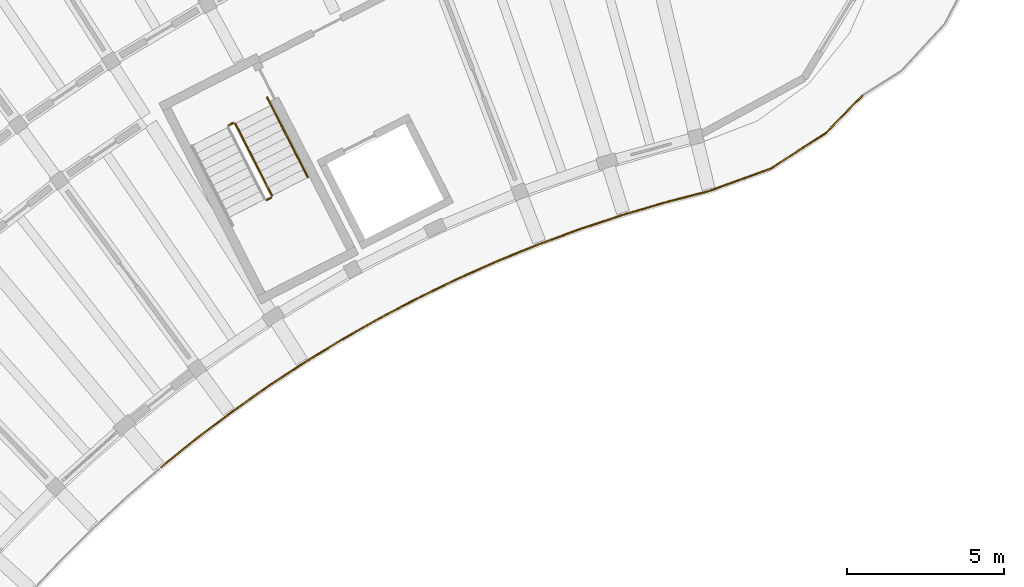
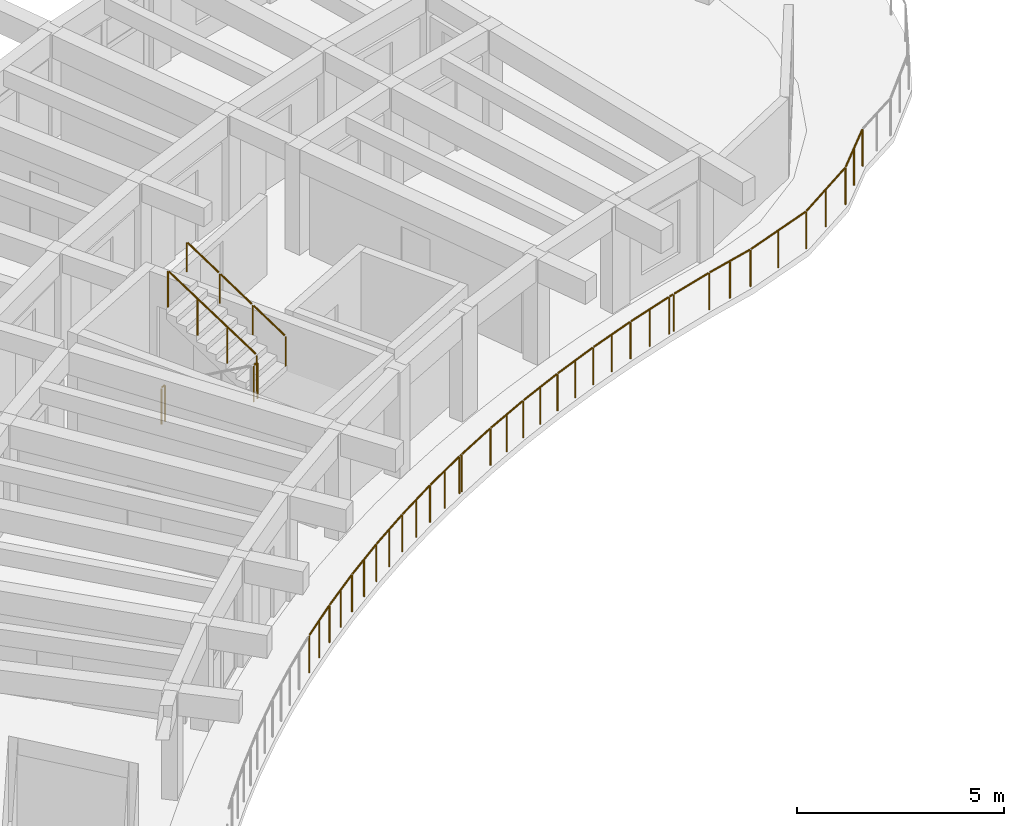
# One storey, part 32 of 36: 9 railings.
"""IFC4 building model written with IfcOpenShell, lengths in metres."""

from ifc_helpers import new_model, si_unit, direction, frame, origin, origin_2d, place, context, subcontext, project, spatial, circle, extrude, material, type_object, element, save


model = new_model("IFC4")

# Units and contexts
model_context = context("Model", 3, precision=1e-05, world=origin(), true_north=direction((0.0, 1.0)))
body_context = subcontext(model_context, "Body", "Model", "MODEL_VIEW")
ifc_project = project(units=[si_unit("LENGTHUNIT", "METRE"), si_unit("AREAUNIT", "SQUARE_METRE"), si_unit("VOLUMEUNIT", "CUBIC_METRE"), si_unit("PLANEANGLEUNIT", "RADIAN"), si_unit("MASSUNIT", "GRAM", prefix="KILO")], contexts=[model_context])

# Site, building, storey
site_placement = place(None, origin())
site = spatial("IfcSite", under=ifc_project, at=site_placement, CompositionType="ELEMENT")
building_placement = place(site_placement, origin())
building = spatial("IfcBuilding", under=site, at=building_placement, Name="Tanwirah Colonnade Gardens", CompositionType="ELEMENT")
storey_placement = place(building_placement, frame((0.0, 0.0, 39.080078125)))
storey = spatial("IfcBuildingStorey", under=building, at=storey_placement, Name="L11", CompositionType="ELEMENT", Elevation=39.080078125)

# Railings
ifc_material_1 = material(Name="Precast concrete C40/50", Category="concrete")
railing_type_1 = type_object("IfcRailingType", Name="BAL-EXT112", PredefinedType="BALUSTRADE", material=ifc_material_1)
railing_1_placement = place(storey_placement, frame((59.87841796875, 104.73291015625, 0.0)))
element("IfcRailing", 1, at=railing_1_placement, inside=storey, type_object=railing_type_1, Name="Block A L11 Balcony Ribbon Balustrade 1", PredefinedType="BALUSTRADE", context=body_context, shape_type="SweptSolid", body=[
    extrude(circle(Radius=0.02392578125, at=origin_2d()), frame((-0.021728515625, -0.0224609375, 1.09619140625), z_axis=(-0.698511797855, -0.715598538468, 0.0), x_axis=(0.715598538468, -0.698511797855, 0.0)), (0.0, 0.0, 1.0), 1.609130859375),
    extrude(circle(Radius=0.02392578125, at=origin_2d()), frame((-1.194091796875, -1.213134765625, 1.09619140625), z_axis=(-0.840131563102, -0.542382666278, 0.0), x_axis=(0.542382666278, -0.840131563102, 0.0)), (0.0, 0.0, 1.0), 2.024169921875),
    extrude(circle(Radius=0.02392578125, at=origin_2d()), frame((-2.9501953125, -2.3388671875, 1.09619140625), z_axis=(-0.93978320246, -0.341771169606, 0.0), x_axis=(0.341771169606, -0.93978320246, 0.0)), (0.0, 0.0, 1.0), 2.02978515625),
    extrude(circle(Radius=0.02392578125, at=origin_2d()), frame((-4.91748046875, -3.051025390625, 1.09619140625), z_axis=(-0.968152012133, -0.250363099122, 0.0), x_axis=(0.250363099122, -0.968152012133, 0.0)), (0.0, 0.0, 1.0), 1.337890625),
    extrude(circle(Radius=0.02392578125, at=origin_2d()), frame((-6.275634765625, -3.4033203125, 1.09619140625), z_axis=(-0.959381098195, -0.282113290055, 0.0), x_axis=(0.282113290055, -0.959381098195, 0.0)), (0.0, 0.0, 1.0), 1.18359375),
    extrude(circle(Radius=0.02099609375, at=origin_2d()), origin(), (0.0, 0.0, 1.0), 1.069091796875),
    extrude(circle(Radius=0.02099609375, at=origin_2d()), frame((-0.583984375, -0.59814453125, 0.0)), (0.0, 0.0, 1.0), 1.069091796875),
    extrude(circle(Radius=0.02099609375, at=origin_2d()), frame((-1.167724609375, -1.1962890625, 0.0)), (0.0, 0.0, 1.0), 1.069091796875),
    extrude(circle(Radius=0.02099609375, at=origin_2d()), frame((-2.04443359375, -1.76220703125, 0.0)), (0.0, 0.0, 1.0), 1.069091796875),
    extrude(circle(Radius=0.02099609375, at=origin_2d()), frame((-2.9208984375, -2.328125, 0.0)), (0.0, 0.0, 1.0), 1.069091796875),
    extrude(circle(Radius=0.02099609375, at=origin_2d()), frame((-3.904052734375, -2.685546875, 0.0)), (0.0, 0.0, 1.0), 1.069091796875),
    extrude(circle(Radius=0.02099609375, at=origin_2d()), frame((-4.88720703125, -3.043212890625, 0.0)), (0.0, 0.0, 1.0), 1.069091796875),
    extrude(circle(Radius=0.02099609375, at=origin_2d()), frame((-5.56494140625, -3.218505859375, 0.0)), (0.0, 0.0, 1.0), 1.069091796875),
    extrude(circle(Radius=0.02099609375, at=origin_2d()), frame((-6.242919921875, -3.393798828125, 0.0)), (0.0, 0.0, 1.0), 1.069091796875),
    extrude(circle(Radius=0.02099609375, at=origin_2d()), frame((-7.441162109375, -3.74609375, 0.0)), (0.0, 0.0, 1.0), 1.069091796875),
])
railing_2_placement = place(storey_placement, frame((52.437255859375, 100.98681640625, 0.0)))
element("IfcRailing", 2, at=railing_2_placement, inside=storey, type_object=railing_type_1, Name="Block A L11 Balcony Ribbon Balustrade 2", PredefinedType="BALUSTRADE", context=body_context, shape_type="SweptSolid", body=[
    extrude(circle(Radius=0.02392578125, at=origin_2d()), frame((-0.030029296875, -0.0087890625, 1.09619140625), z_axis=(-0.959217793849, -0.28266804553, 0.0), x_axis=(0.28266804553, -0.959217793849, 0.0)), (0.0, 0.0, 1.0), 0.095458984375),
    extrude(circle(Radius=0.02392578125, at=origin_2d()), frame((-0.18408203125, -0.05517578125, 1.09619140625), z_axis=(-0.949531842797, -0.313670654533, 0.0), x_axis=(0.313670654533, -0.949531842797, 0.0)), (0.0, 0.0, 1.0), 1.341552734375),
    extrude(circle(Radius=0.02392578125, at=origin_2d()), frame((-1.51953125, -0.49755859375, 1.09619140625), z_axis=(-0.93868698515, -0.344770567059, 0.0), x_axis=(0.344770567059, -0.93868698515, 0.0)), (0.0, 0.0, 1.0), 1.341796875),
    extrude(circle(Radius=0.02392578125, at=origin_2d()), frame((-2.83984375, -0.983642578125, 1.09619140625), z_axis=(-0.92683738147, -0.375463005247, 0.0), x_axis=(0.375463005247, -0.92683738147, 0.0)), (0.0, 0.0, 1.0), 1.342041015625),
    extrude(circle(Radius=0.02392578125, at=origin_2d()), frame((-4.143310546875, -1.512939453125, 1.09619140625), z_axis=(-0.913997826773, -0.40571908096, 0.0), x_axis=(0.40571908096, -0.913997826773, 0.0)), (0.0, 0.0, 1.0), 1.342041015625),
    extrude(circle(Radius=0.02392578125, at=origin_2d()), frame((-5.4287109375, -2.0849609375, 1.09619140625), z_axis=(-0.900124070825, -0.43563362717, 0.0), x_axis=(0.43563362717, -0.900124070825, 0.0)), (0.0, 0.0, 1.0), 1.341796875),
    extrude(circle(Radius=0.02392578125, at=origin_2d()), frame((-6.694580078125, -2.698974609375, 1.09619140625), z_axis=(-0.885222572619, -0.465167708386, 0.0), x_axis=(0.465167708386, -0.885222572619, 0.0)), (0.0, 0.0, 1.0), 1.24169921875),
    extrude(circle(Radius=0.02099609375, at=origin_2d()), origin(), (0.0, 0.0, 1.0), 1.069091796875),
    extrude(circle(Radius=0.02099609375, at=origin_2d()), frame((-0.151611328125, -0.044677734375, 0.0)), (0.0, 0.0, 1.0), 1.069091796875),
    extrude(circle(Radius=0.02099609375, at=origin_2d()), frame((-0.82080078125, -0.265625, 0.0)), (0.0, 0.0, 1.0), 1.069091796875),
    extrude(circle(Radius=0.02099609375, at=origin_2d()), frame((-1.487548828125, -0.48583984375, 0.0)), (0.0, 0.0, 1.0), 1.069091796875),
    extrude(circle(Radius=0.02099609375, at=origin_2d()), frame((-2.1494140625, -0.72900390625, 0.0)), (0.0, 0.0, 1.0), 1.069091796875),
    extrude(circle(Radius=0.02099609375, at=origin_2d()), frame((-2.808349609375, -0.970947265625, 0.0)), (0.0, 0.0, 1.0), 1.069091796875),
    extrude(circle(Radius=0.02099609375, at=origin_2d()), frame((-3.461669921875, -1.235595703125, 0.0)), (0.0, 0.0, 1.0), 1.069091796875),
    extrude(circle(Radius=0.02099609375, at=origin_2d()), frame((-4.112548828125, -1.499267578125, 0.0)), (0.0, 0.0, 1.0), 1.069091796875),
    extrude(circle(Radius=0.02099609375, at=origin_2d()), frame((-4.756591796875, -1.78515625, 0.0)), (0.0, 0.0, 1.0), 1.069091796875),
    extrude(circle(Radius=0.02099609375, at=origin_2d()), frame((-5.3984375, -2.070068359375, 0.0)), (0.0, 0.0, 1.0), 1.069091796875),
    extrude(circle(Radius=0.02099609375, at=origin_2d()), frame((-6.03271484375, -2.377197265625, 0.0)), (0.0, 0.0, 1.0), 1.069091796875),
    extrude(circle(Radius=0.02099609375, at=origin_2d()), frame((-6.664794921875, -2.68310546875, 0.0)), (0.0, 0.0, 1.0), 1.069091796875),
    extrude(circle(Radius=0.02099609375, at=origin_2d()), frame((-7.821533203125, -3.291015625, 0.0)), (0.0, 0.0, 1.0), 1.069091796875),
])
railing_3_placement = place(storey_placement, frame((44.61572265625, 97.69580078125, 0.0)))
element("IfcRailing", 3, at=railing_3_placement, inside=storey, type_object=railing_type_1, Name="Block A L11 Balcony Ribbon Balustrade 3", PredefinedType="BALUSTRADE", context=body_context, shape_type="SweptSolid", body=[
    extrude(circle(Radius=0.02392578125, at=origin_2d()), frame((-0.027587890625, -0.0146484375, 1.09619140625), z_axis=(-0.884971100342, -0.465645950868, 0.0), x_axis=(0.465645950868, -0.884971100342, 0.0)), (0.0, 0.0, 1.0), 0.03759765625),
    extrude(circle(Radius=0.02392578125, at=origin_2d()), frame((-0.1181640625, -0.063232421875, 1.09619140625), z_axis=(-0.869342839865, -0.494209496848, 0.0), x_axis=(0.494209496848, -0.869342839865, 0.0)), (0.0, 0.0, 1.0), 1.342041015625),
    extrude(circle(Radius=0.02392578125, at=origin_2d()), frame((-1.3408203125, -0.759521484375, 1.09619140625), z_axis=(-0.852623736113, -0.522525372223, 0.0), x_axis=(0.522525372223, -0.852623736113, 0.0)), (0.0, 0.0, 1.0), 1.342041015625),
    extrude(circle(Radius=0.02392578125, at=origin_2d()), frame((-2.5400390625, -1.495361328125, 1.09619140625), z_axis=(-0.834927342507, -0.550360184547, 0.0), x_axis=(0.550360184547, -0.834927342507, 0.0)), (0.0, 0.0, 1.0), 1.341796875),
    extrude(circle(Radius=0.02392578125, at=origin_2d()), frame((-3.71435546875, -2.270751953125, 1.09619140625), z_axis=(-0.816321661452, -0.577597563226, 0.0), x_axis=(0.577597563226, -0.816321661452, 0.0)), (0.0, 0.0, 1.0), 1.341552734375),
    extrude(circle(Radius=0.02392578125, at=origin_2d()), frame((-4.862060546875, -3.083984375, 1.09619140625), z_axis=(-0.796818244666, -0.604219070344, 0.0), x_axis=(0.604219070344, -0.796818244666, 0.0)), (0.0, 0.0, 1.0), 1.342041015625),
    extrude(circle(Radius=0.02392578125, at=origin_2d()), frame((-5.982421875, -3.93505859375, 1.09619140625), z_axis=(-0.776585143641, -0.630012313115, 0.0), x_axis=(0.630012313115, -0.776585143641, 0.0)), (0.0, 0.0, 1.0), 1.300048828125),
    extrude(circle(Radius=0.02099609375, at=origin_2d()), origin(), (0.0, 0.0, 1.0), 1.069091796875),
    extrude(circle(Radius=0.02099609375, at=origin_2d()), frame((-0.088623046875, -0.046630859375, 0.0)), (0.0, 0.0, 1.0), 1.069091796875),
    extrude(circle(Radius=0.02099609375, at=origin_2d()), frame((-0.70166015625, -0.39501953125, 0.0)), (0.0, 0.0, 1.0), 1.069091796875),
    extrude(circle(Radius=0.02099609375, at=origin_2d()), frame((-1.31201171875, -0.741943359375, 0.0)), (0.0, 0.0, 1.0), 1.069091796875),
    extrude(circle(Radius=0.02099609375, at=origin_2d()), frame((-1.9130859375, -1.110107421875, 0.0)), (0.0, 0.0, 1.0), 1.069091796875),
    extrude(circle(Radius=0.02099609375, at=origin_2d()), frame((-2.51171875, -1.47705078125, 0.0)), (0.0, 0.0, 1.0), 1.069091796875),
    extrude(circle(Radius=0.02099609375, at=origin_2d()), frame((-3.10009765625, -1.86474609375, 0.0)), (0.0, 0.0, 1.0), 1.069091796875),
    extrude(circle(Radius=0.02099609375, at=origin_2d()), frame((-3.6865234375, -2.251220703125, 0.0)), (0.0, 0.0, 1.0), 1.069091796875),
    extrude(circle(Radius=0.02099609375, at=origin_2d()), frame((-4.26171875, -2.658203125, 0.0)), (0.0, 0.0, 1.0), 1.069091796875),
    extrude(circle(Radius=0.02099609375, at=origin_2d()), frame((-4.8349609375, -3.063720703125, 0.0)), (0.0, 0.0, 1.0), 1.069091796875),
    extrude(circle(Radius=0.02099609375, at=origin_2d()), frame((-5.396728515625, -3.489501953125, 0.0)), (0.0, 0.0, 1.0), 1.069091796875),
    extrude(circle(Radius=0.02099609375, at=origin_2d()), frame((-5.956298828125, -3.913818359375, 0.0)), (0.0, 0.0, 1.0), 1.069091796875),
    extrude(circle(Radius=0.02099609375, at=origin_2d()), frame((-6.4873046875, -4.344482421875, 0.0)), (0.0, 0.0, 1.0), 1.069091796875),
    extrude(circle(Radius=0.02099609375, at=origin_2d()), frame((-7.016357421875, -4.773681640625, 0.0)), (0.0, 0.0, 1.0), 1.069091796875),
])
ifc_material_2 = material(Name="Powder-coated galvanized steel", Category="steel")
railing_type_2 = type_object("IfcRailingType", Name="GRD-ST110", PredefinedType="GUARDRAIL", material=ifc_material_2)
railing_4_placement = place(storey_placement, frame((40.95068359375, 101.408203125, 1.679931640625)))
element("IfcRailing", 4, at=railing_4_placement, inside=storey, type_object=railing_type_2, Name="L11 ST-A1 stair guard 2", PredefinedType="GUARDRAIL", context=body_context, shape_type="SweptSolid", body=[
    extrude(circle(Radius=0.02392578125, at=origin_2d()), frame((0.02783203125, 0.01416015625, 1.076171875), z_axis=(0.89073666619, 0.4545197372, 0.0), x_axis=(-0.4545197372, 0.89073666619, 0.0)), (0.0, 0.0, 1.0), 0.09765625),
    extrude(circle(Radius=0.02099609375, at=origin_2d()), origin(), (0.0, 0.0, 1.0), 1.049072265625),
    extrude(circle(Radius=0.02099609375, at=origin_2d()), frame((0.142578125, 0.07275390625, 0.0)), (0.0, 0.0, 1.0), 1.049072265625),
])
railing_5_placement = place(storey_placement, frame((41.114990234375, 101.548095703125, 1.847900390625)))
element("IfcRailing", 5, at=railing_5_placement, inside=storey, type_object=railing_type_2, Name="L11 ST-A1 stair guard 3", PredefinedType="GUARDRAIL", context=body_context, shape_type="SweptSolid", body=[
    extrude(circle(Radius=0.02392578125, at=origin_2d()), frame((-0.01220703125, 0.02392578125, 1.092041015625), z_axis=(-0.3911222872, 0.767567239095, 0.507803003067), x_axis=(-0.890993730975, -0.45401560696, 0.0)), (0.0, 0.0, 1.0), 2.9150390625),
    extrude(circle(Radius=0.02099609375, at=origin_2d()), origin(), (0.0, 0.0, 1.0), 1.049072265625),
    extrude(circle(Radius=0.02099609375, at=origin_2d()), frame((-0.38818359375, 0.76171875, 0.50390625)), (0.0, 0.0, 1.0), 1.049072265625),
    extrude(circle(Radius=0.02099609375, at=origin_2d()), frame((-0.7763671875, 1.523681640625, 1.008056640625)), (0.0, 0.0, 1.0), 1.049072265625),
    extrude(circle(Radius=0.02099609375, at=origin_2d()), frame((-1.16455078125, 2.285400390625, 1.511962890625)), (0.0, 0.0, 1.0), 1.049072265625),
])
railing_6_placement = place(storey_placement, frame((39.74072265625, 103.78271484375, 0.0)))
element("IfcRailing", 6, at=railing_6_placement, inside=storey, type_object=railing_type_2, Name="L11 ST-A1 stair guard 4", PredefinedType="GUARDRAIL", context=body_context, shape_type="SweptSolid", body=[
    extrude(circle(Radius=0.02392578125, at=origin_2d()), frame((0.02783203125, 0.01416015625, 1.076171875), z_axis=(0.89073666619, 0.4545197372, 0.0), x_axis=(-0.4545197372, 0.89073666619, 0.0)), (0.0, 0.0, 1.0), 0.09765625),
    extrude(circle(Radius=0.02099609375, at=origin_2d()), origin(), (0.0, 0.0, 1.0), 1.049072265625),
    extrude(circle(Radius=0.02099609375, at=origin_2d()), frame((0.142578125, 0.07275390625, 0.0)), (0.0, 0.0, 1.0), 1.049072265625),
])
ifc_material_3 = material(Name="Brushed bronze stainless steel", Category="steel")
railing_type_3 = type_object("IfcRailingType", Name="HR-ST090", PredefinedType="HANDRAIL", material=ifc_material_3)
railing_7_placement = place(storey_placement, frame((42.255615234375, 102.129150390625, 1.847900390625)))
element("IfcRailing", 7, at=railing_7_placement, inside=storey, type_object=railing_type_3, Name="L11 ST-A1 stair handrail 4", PredefinedType="HANDRAIL", context=body_context, shape_type="SweptSolid", body=[
    extrude(circle(Radius=0.02392578125, at=origin_2d()), frame((-0.01220703125, 0.02392578125, 0.891845703125), z_axis=(-0.390117538533, 0.765442844423, 0.51176709356), x_axis=(-0.890957114254, -0.454087459154, 0.0)), (0.0, 0.0, 1.0), 1.043212890625),
    extrude(circle(Radius=0.02099609375, at=origin_2d()), origin(), (0.0, 0.0, 1.0), 0.848876953125),
    extrude(circle(Radius=0.02099609375, at=origin_2d()), frame((-0.431396484375, 0.846435546875, 0.56591796875)), (0.0, 0.0, 1.0), 0.848876953125),
])
railing_8_placement = place(storey_placement, frame((41.82421875, 102.9755859375, 2.413818359375)))
element("IfcRailing", 8, at=railing_8_placement, inside=storey, type_object=railing_type_3, Name="L11 ST-A1 stair handrail 5", PredefinedType="HANDRAIL", context=body_context, shape_type="SweptSolid", body=[
    extrude(circle(Radius=0.02392578125, at=origin_2d()), frame((-0.01220703125, 0.02392578125, 0.891845703125), z_axis=(-0.390007559961, 0.765447774728, 0.511843537946), x_axis=(-0.891010084603, -0.453983511965, 0.0)), (0.0, 0.0, 1.0), 1.043701171875),
    extrude(circle(Radius=0.02099609375, at=origin_2d()), origin(), (0.0, 0.0, 1.0), 0.848876953125),
    extrude(circle(Radius=0.02099609375, at=origin_2d()), frame((-0.431396484375, 0.8466796875, 0.566162109375)), (0.0, 0.0, 1.0), 0.848876953125),
])
railing_9_placement = place(storey_placement, frame((41.392822265625, 103.822265625, 2.97998046875)))
element("IfcRailing", 9, at=railing_9_placement, inside=storey, type_object=railing_type_3, Name="L11 ST-A1 stair handrail 6", PredefinedType="HANDRAIL", context=body_context, shape_type="SweptSolid", body=[
    extrude(circle(Radius=0.02392578125, at=origin_2d()), frame((-0.01220703125, 0.02392578125, 0.891845703125), z_axis=(-0.38993033558, 0.765508761867, 0.511811165275), x_axis=(-0.891061070925, -0.453883429839, 0.0)), (0.0, 0.0, 1.0), 1.043212890625),
    extrude(circle(Radius=0.02099609375, at=origin_2d()), origin(), (0.0, 0.0, 1.0), 0.848876953125),
    extrude(circle(Radius=0.02099609375, at=origin_2d()), frame((-0.43115234375, 0.846435546875, 0.56591796875)), (0.0, 0.0, 1.0), 0.848876953125),
])

save(model, "model.ifc")
